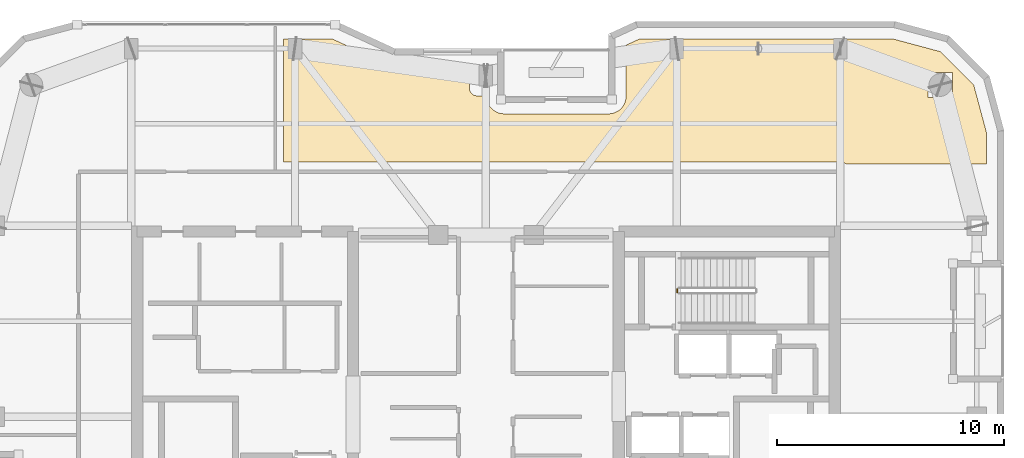
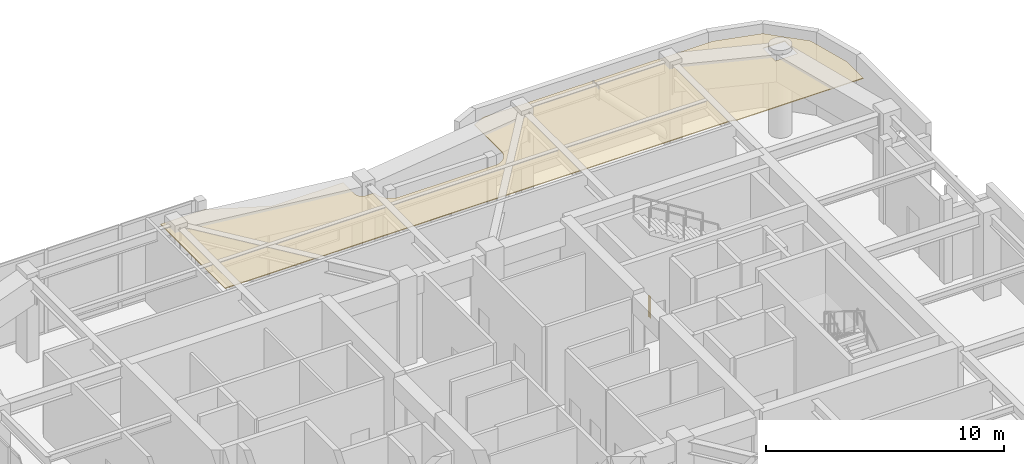
# One storey, part 15 of 16: 1 covering, 1 railing.
"""IFC4 building model written with IfcOpenShell, lengths in metres."""

from ifc_helpers import new_model, si_unit, direction, frame, origin, origin_2d, place, context, subcontext, project, spatial, polyline, rectangle, outline, extrude, material, layer, layer_set, type_object, element, save


model = new_model("IFC4")

# Units and contexts
model_context = context("Model", 3, precision=1e-05, world=origin(), true_north=direction((0.0, 1.0)))
body_context = subcontext(model_context, "Body", "Model", "MODEL_VIEW")
ifc_project = project(units=[si_unit("LENGTHUNIT", "METRE"), si_unit("AREAUNIT", "SQUARE_METRE"), si_unit("VOLUMEUNIT", "CUBIC_METRE"), si_unit("PLANEANGLEUNIT", "RADIAN"), si_unit("MASSUNIT", "GRAM", prefix="KILO")], contexts=[model_context])

# Site, building, storey
site_placement = place(None, origin())
site = spatial("IfcSite", under=ifc_project, at=site_placement, CompositionType="ELEMENT")
building_placement = place(site_placement, origin())
building = spatial("IfcBuilding", under=site, at=building_placement, Name="Kiyonajd Concourse Tower", CompositionType="ELEMENT")
storey_placement = place(building_placement, frame((0.0, 0.0, 337.5)))
storey = spatial("IfcBuildingStorey", under=building, at=storey_placement, Name="L85", CompositionType="ELEMENT", Elevation=337.5)

# Covering
ifc_material_1 = material(Name="Natural Oak Acoustic Timber Veneer", Category="wood")
ifc_layer = layer(ifc_material_1, 0.0400390625)
ifc_layer_set = layer_set([ifc_layer], Name="Natural Oak Acoustic Timber Veneer")
covering_type = type_object("IfcCoveringType", Name="CV-CLG-ACST", PredefinedType="CEILING", material=ifc_layer_set)
covering_placement = place(storey_placement, frame((0.0, 0.0, 4.10009765625)))
element("IfcCovering", 1, at=covering_placement, inside=storey, type_object=covering_type, Name="L85-44 Room Acoustic Ceiling", PredefinedType="CEILING", context=body_context, shape_type="SweptSolid", body=[
    extrude(outline(polyline([(43.735107421875, 51.47802734375), (43.84912109375, 51.445068359375), (44.0, 51.429931640625), (47.27001953125, 51.429931640625), (47.27197265625, 50.43603515625), (47.297119140625, 50.3359375), (47.3291015625, 50.27587890625), (47.373046875, 50.222900390625), (47.426025390625, 50.178955078125), (47.486083984375, 50.14697265625), (47.552001953125, 50.126953125), (47.6201171875, 50.1201171875), (48.031982421875, 50.1201171875), (48.035888671875, 50.008056640625), (48.069091796875, 49.860107421875), (48.10400390625, 49.77197265625), (48.19189453125, 49.6279296875), (48.299072265625, 49.514892578125), (48.408935546875, 49.43798828125), (48.52099609375, 49.383056640625), (48.633056640625, 49.347900390625), (48.800048828125, 49.330078125), (53.44091796875, 49.33203125), (53.56689453125, 49.347900390625), (53.678955078125, 49.383056640625), (53.800048828125, 49.443115234375), (53.90087890625, 49.514892578125), (53.985107421875, 49.59912109375), (54.056884765625, 49.699951171875), (54.10791015625, 49.7958984375), (54.152099609375, 49.93310546875), (54.16796875, 50.05908203125), (54.169921875, 52.35302734375), (54.76904296875, 52.6298828125), (65.89892578125, 52.6298828125), (68.001953125, 52.06591796875), (69.466064453125, 50.60205078125), (70.030029296875, 48.4990234375), (70.030029296875, 47.1298828125), (63.847900390625, 47.1298828125), (63.79296875, 47.1640625), (63.72998046875, 47.18994140625), (63.60009765625, 47.2099609375), (39.10009765625, 47.2099609375), (39.10009765625, 52.6298828125), (41.23095703125, 52.6298828125), (43.735107421875, 51.47802734375)]), holes=[polyline([(68.5400390625, 50.06005859375), (68.5400390625, 51.139892578125), (67.4599609375, 51.139892578125), (67.4599609375, 50.06005859375), (68.5400390625, 50.06005859375)])]), origin(), (0.0, 0.0, 1.0), 0.039794921875),
])

# Railing
ifc_material_2 = material(Name="Steel ASTM A500 Grade C", Category="steel")
railing_type = type_object("IfcRailingType", Name="RL-GRD-STR", PredefinedType="GUARDRAIL", material=ifc_material_2)
railing_placement = place(storey_placement, frame((56.429931640625, 41.47998046875, 0.0)))
element("IfcRailing", 2, at=railing_placement, inside=storey, type_object=railing_type, Name="L85 ST3 stair guard 4", PredefinedType="GUARDRAIL", context=body_context, shape_type="SweptSolid", body=[
    extrude(rectangle(XDim=0.048095703125, YDim=0.048095703125, at=origin_2d()), frame((0.0, 0.0, 1.076171875), z_axis=(0.0, 1.0, 0.0), x_axis=(-1.0, 0.0, 0.0)), (0.0, 0.0, 1.0), 0.14013671875),
    extrude(rectangle(XDim=0.0419921875, YDim=0.0419921875, at=origin_2d()), origin(), (0.0, 0.0, 1.0), 1.052001953125),
    extrude(rectangle(XDim=0.0419921875, YDim=0.0419921875, at=origin_2d()), frame((0.0, 0.14013671875, 0.0)), (0.0, 0.0, 1.0), 1.052001953125),
])

save(model, "model.ifc")
